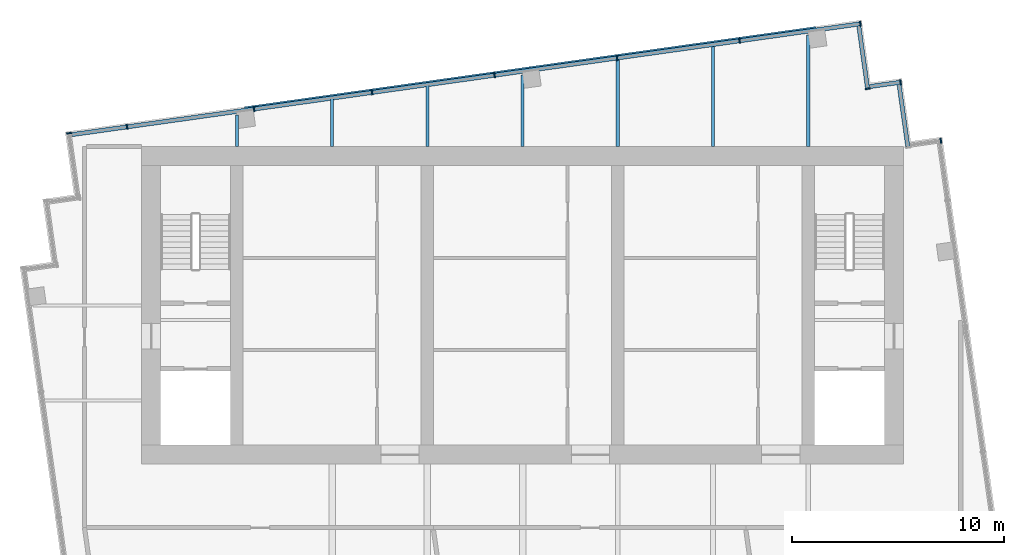
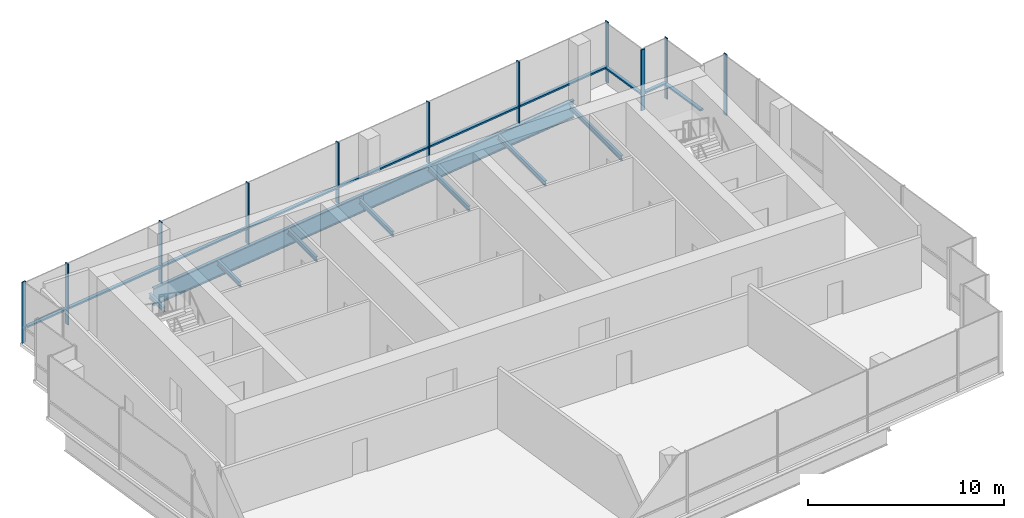
# One storey, part 5 of 9: 21 members, 9 beams, 6 elements without a shape of their own.
"""IFC4 building model written with IfcOpenShell, lengths in metres."""

from ifc_helpers import new_model, si_unit, direction, frame, origin, origin_2d, place, context, subcontext, project, spatial, rectangle, i_section, extrude, material, layer, layer_set, material_profile, profile_set, type_object, element, aggregate, save


model = new_model("IFC4")

# Units and contexts
model_context = context("Model", 3, precision=1e-05, world=origin(), true_north=direction((0.0, 1.0)))
body_context = subcontext(model_context, "Body", "Model", "MODEL_VIEW")
ifc_project = project(units=[si_unit("LENGTHUNIT", "METRE"), si_unit("AREAUNIT", "SQUARE_METRE"), si_unit("VOLUMEUNIT", "CUBIC_METRE"), si_unit("PLANEANGLEUNIT", "RADIAN"), si_unit("MASSUNIT", "GRAM", prefix="KILO")], contexts=[model_context])

# Site, building, storey
site_placement = place(None, origin())
site = spatial("IfcSite", under=ifc_project, at=site_placement, CompositionType="ELEMENT")
building_placement = place(site_placement, origin())
building = spatial("IfcBuilding", under=site, at=building_placement, Name="Rattan Terrace Tower", CompositionType="ELEMENT")
storey_placement = place(building_placement, frame((0.0, 0.0, 296.300048828125)))
storey = spatial("IfcBuildingStorey", under=building, at=storey_placement, Name="C02", CompositionType="ELEMENT", Elevation=296.300048828125)

# Beams
ifc_material_1 = material(Name="Steel S460", Category="steel")
ifc_material_profile_1 = material_profile(ifc_material_1, i_section(OverallWidth=0.179931640625, OverallDepth=1.10009765625, WebThickness=0.01611328125, FlangeThickness=0.050048828125, at=origin_2d()), Name="PG 1100x180-16-50")
ifc_profile_set_1 = profile_set([ifc_material_profile_1], Name="Steel S460")
beam_type_1 = type_object("IfcBeamType", Name="Frame edge girder PG 1100x180-16-50", PredefinedType="SPANDREL", material=ifc_profile_set_1)
beam_1_placement = place(storey_placement, frame((0.361083984375, 11.19189453125, -0.75), z_axis=(-0.990261517274, -0.139219709116, 0.0), x_axis=(0.139219709116, -0.990261517274, 0.0)))
element("IfcBeam", 1, at=beam_1_placement, inside=storey, type_object=beam_type_1, Name="gdr-C02-004", PredefinedType="SPANDREL", context=body_context, shape_type="SweptSolid", body=[
    extrude(i_section(OverallWidth=0.179931640625, OverallDepth=1.10009765625, WebThickness=0.01611328125, FlangeThickness=0.050048828125, at=origin_2d()), origin(), (0.0, 0.0, 1.0), 13.6328125),
])
beam_2_placement = place(storey_placement, frame((13.861083984375, 13.089111328125, -0.75), z_axis=(-0.990268922684, -0.139167024707, 0.0), x_axis=(0.139167024707, -0.990268922684, 0.0)))
element("IfcBeam", 2, at=beam_2_placement, inside=storey, type_object=beam_type_1, Name="gdr-C02-005", PredefinedType="SPANDREL", context=body_context, shape_type="SweptSolid", body=[
    extrude(i_section(OverallWidth=0.179931640625, OverallDepth=1.10009765625, WebThickness=0.01611328125, FlangeThickness=0.050048828125, at=origin_2d()), origin(), (0.0, 0.0, 1.0), 13.632568359375),
])
ifc_material_2 = material(Name="Steel S355", Category="steel")
ifc_material_profile_2 = material_profile(ifc_material_2, i_section(OverallWidth=0.14990234375, OverallDepth=0.300048828125, WebThickness=0.007080078125, FlangeThickness=0.0107421875, FilletRadius=0.014892578125, at=origin_2d()), Name="IPE 300")
ifc_profile_set_2 = profile_set([ifc_material_profile_2], Name="Steel S355")
beam_type_2 = type_object("IfcBeamType", Name="Frame floor beam IPE 300", PredefinedType="JOIST", material=ifc_profile_set_2)
beam_3_placement = place(storey_placement, frame((-13.5, 7.5, -0.35009765625), z_axis=(0.0, 1.0, 0.0), x_axis=(-1.0, 0.0, 0.0)))
element("IfcBeam", 3, at=beam_3_placement, inside=storey, type_object=beam_type_2, Name="bm-C02-011", PredefinedType="JOIST", context=body_context, shape_type="SweptSolid", body=[
    extrude(i_section(OverallWidth=0.14990234375, OverallDepth=0.300048828125, WebThickness=0.007080078125, FlangeThickness=0.0107421875, FilletRadius=0.014892578125, at=origin_2d()), origin(), (0.0, 0.0, 1.0), 1.487060546875),
])
beam_4_placement = place(storey_placement, frame((-9.0, 7.5, -0.35009765625), z_axis=(0.0, 1.0, 0.0), x_axis=(-1.0, 0.0, 0.0)))
element("IfcBeam", 4, at=beam_4_placement, inside=storey, type_object=beam_type_2, Name="bm-C02-012", PredefinedType="JOIST", context=body_context, shape_type="SweptSolid", body=[
    extrude(i_section(OverallWidth=0.14990234375, OverallDepth=0.300048828125, WebThickness=0.007080078125, FlangeThickness=0.0107421875, FilletRadius=0.014892578125, at=origin_2d()), origin(), (0.0, 0.0, 1.0), 2.284912109375),
])
beam_5_placement = place(storey_placement, frame((-4.5, 7.5, -0.35009765625), z_axis=(0.0, 1.0, 0.0), x_axis=(-1.0, 0.0, 0.0)))
element("IfcBeam", 5, at=beam_5_placement, inside=storey, type_object=beam_type_2, Name="bm-C02-013", PredefinedType="JOIST", context=body_context, shape_type="SweptSolid", body=[
    extrude(i_section(OverallWidth=0.14990234375, OverallDepth=0.300048828125, WebThickness=0.007080078125, FlangeThickness=0.0107421875, FilletRadius=0.014892578125, at=origin_2d()), origin(), (0.0, 0.0, 1.0), 2.91796875),
])
beam_6_placement = place(storey_placement, frame((0.0, 7.5, -0.35009765625), z_axis=(0.0, 1.0, 0.0), x_axis=(-1.0, 0.0, 0.0)))
element("IfcBeam", 6, at=beam_6_placement, inside=storey, type_object=beam_type_2, Name="bm-C02-014", PredefinedType="JOIST", context=body_context, shape_type="SweptSolid", body=[
    extrude(i_section(OverallWidth=0.14990234375, OverallDepth=0.300048828125, WebThickness=0.007080078125, FlangeThickness=0.0107421875, FilletRadius=0.014892578125, at=origin_2d()), origin(), (0.0, 0.0, 1.0), 3.385009765625),
])
beam_7_placement = place(storey_placement, frame((4.5, 7.5, -0.35009765625), z_axis=(0.0, 1.0, 0.0), x_axis=(-1.0, 0.0, 0.0)))
element("IfcBeam", 7, at=beam_7_placement, inside=storey, type_object=beam_type_2, Name="bm-C02-015", PredefinedType="JOIST", context=body_context, shape_type="SweptSolid", body=[
    extrude(i_section(OverallWidth=0.14990234375, OverallDepth=0.300048828125, WebThickness=0.007080078125, FlangeThickness=0.0107421875, FilletRadius=0.014892578125, at=origin_2d()), origin(), (0.0, 0.0, 1.0), 4.18310546875),
])
beam_8_placement = place(storey_placement, frame((9.0, 7.5, -0.35009765625), z_axis=(0.0, 1.0, 0.0), x_axis=(-1.0, 0.0, 0.0)))
element("IfcBeam", 8, at=beam_8_placement, inside=storey, type_object=beam_type_2, Name="bm-C02-016", PredefinedType="JOIST", context=body_context, shape_type="SweptSolid", body=[
    extrude(i_section(OverallWidth=0.14990234375, OverallDepth=0.300048828125, WebThickness=0.007080078125, FlangeThickness=0.0107421875, FilletRadius=0.014892578125, at=origin_2d()), origin(), (0.0, 0.0, 1.0), 4.81494140625),
])
beam_9_placement = place(storey_placement, frame((13.5, 7.5, -0.35009765625), z_axis=(0.0, 1.0, 0.0), x_axis=(-1.0, 0.0, 0.0)))
element("IfcBeam", 9, at=beam_9_placement, inside=storey, type_object=beam_type_2, Name="bm-C02-017", PredefinedType="JOIST", context=body_context, shape_type="SweptSolid", body=[
    extrude(i_section(OverallWidth=0.14990234375, OverallDepth=0.300048828125, WebThickness=0.007080078125, FlangeThickness=0.0107421875, FilletRadius=0.014892578125, at=origin_2d()), origin(), (0.0, 0.0, 1.0), 5.281982421875),
])

# Curtain wall, member
ifc_material_3 = material(Name="Aluminium and laminated glass", Category="aluminium")
ifc_layer = layer(ifc_material_3, 0.239990234375)
ifc_layer_set = layer_set([ifc_layer], Name="Lantern Stick Curtain Wall")
curtain_wall_type = type_object("IfcCurtainWallType", Name="Lantern Stick Curtain Wall", PredefinedType="NOTDEFINED", material=ifc_layer_set)
curtain_wall_1_placement = place(storey_placement, origin())
curtain_wall_1 = element("IfcCurtainWall", 10, at=curtain_wall_1_placement, inside=storey, type_object=curtain_wall_type, Name="Lantern curtain wall C02-12", PredefinedType="NOTDEFINED")
ifc_material_4 = material(Name="Aluminium", Category="aluminium")
ifc_material_profile_3 = material_profile(ifc_material_4, rectangle(XDim=0.070068359375, YDim=0.239990234375, at=origin_2d()), Name="Aluminium 70x240")
ifc_profile_set_3 = profile_set([ifc_material_profile_3], Name="Aluminium")
member_type_1 = type_object("IfcMemberType", Name="Lantern CW Mullion 70x240", PredefinedType="MULLION", material=ifc_profile_set_3)
member_1_placement = place(storey_placement, frame((19.763427734375, 7.77880859375, 0.0), z_axis=(0.0, 0.0, 1.0), x_axis=(-0.990227803001, -0.139459306479, 0.0)))
member_1 = element("IfcMember", 11, at=member_1_placement, type_object=member_type_1, Name="Mullion cwl-C02-012.1", PredefinedType="MULLION", context=body_context, shape_type="SweptSolid", body=[
    extrude(rectangle(XDim=0.070068359375, YDim=0.239990234375, at=origin_2d()), origin(), (0.0, 0.0, 1.0), 3.800048828125),
])
aggregate(curtain_wall_1, [member_1])

curtain_wall_2_placement = place(storey_placement, origin())
curtain_wall_2 = element("IfcCurtainWall", 12, at=curtain_wall_2_placement, inside=storey, type_object=curtain_wall_type, Name="Lantern curtain wall C02-14", PredefinedType="NOTDEFINED")
member_2_placement = place(storey_placement, frame((17.860595703125, 10.54296875, 0.0), z_axis=(0.0, 0.0, 1.0), x_axis=(-0.990319742912, -0.13880492354, 0.0)))
member_2 = element("IfcMember", 13, at=member_2_placement, type_object=member_type_1, Name="Mullion cwl-C02-014.1", PredefinedType="MULLION", context=body_context, shape_type="SweptSolid", body=[
    extrude(rectangle(XDim=0.070068359375, YDim=0.239990234375, at=origin_2d()), origin(), (0.0, 0.0, 1.0), 3.800048828125),
])

curtain_wall_3_placement = place(storey_placement, origin())
curtain_wall_3 = element("IfcCurtainWall", 14, at=curtain_wall_3_placement, inside=storey, type_object=curtain_wall_type, Name="Lantern curtain wall C02-15", PredefinedType="NOTDEFINED")
member_3_placement = place(storey_placement, frame((16.30419921875, 10.239013671875, 0.0), z_axis=(0.0, 0.0, 1.0), x_axis=(-0.139413247769, 0.990234288614, 0.0)))
member_3 = element("IfcMember", 15, at=member_3_placement, type_object=member_type_1, Name="Mullion cwl-C02-015.1", PredefinedType="MULLION", context=body_context, shape_type="SweptSolid", body=[
    extrude(rectangle(XDim=0.070068359375, YDim=0.239990234375, at=origin_2d()), origin(), (0.0, 0.0, 1.0), 3.800048828125),
])

# Curtain wall, members
curtain_wall_4_placement = place(storey_placement, origin())
curtain_wall_4 = element("IfcCurtainWall", 16, at=curtain_wall_4_placement, inside=storey, type_object=curtain_wall_type, Name="Lantern curtain wall C02-16", PredefinedType="NOTDEFINED")
member_4_placement = place(storey_placement, frame((15.95849609375, 13.3037109375, 0.0), z_axis=(0.0, 0.0, 1.0), x_axis=(-0.990266952226, -0.13918104515, 0.0)))
member_4 = element("IfcMember", 17, at=member_4_placement, type_object=member_type_1, Name="Mullion cwl-C02-016.1", PredefinedType="MULLION", context=body_context, shape_type="SweptSolid", body=[
    extrude(rectangle(XDim=0.070068359375, YDim=0.239990234375, at=origin_2d()), origin(), (0.0, 0.0, 1.0), 3.800048828125),
])
member_5_placement = place(storey_placement, frame((10.253662109375, 12.501953125, 0.0), z_axis=(0.0, 0.0, 1.0), x_axis=(-0.990266952226, -0.13918104515, 0.0)))
member_5 = element("IfcMember", 18, at=member_5_placement, type_object=member_type_1, Name="Mullion cwl-C02-016.2", PredefinedType="MULLION", context=body_context, shape_type="SweptSolid", body=[
    extrude(rectangle(XDim=0.070068359375, YDim=0.239990234375, at=origin_2d()), origin(), (0.0, 0.0, 1.0), 3.800048828125),
])
member_6_placement = place(storey_placement, frame((4.464599609375, 11.6884765625, 0.0), z_axis=(0.0, 0.0, 1.0), x_axis=(-0.990266952226, -0.13918104515, 0.0)))
member_6 = element("IfcMember", 19, at=member_6_placement, type_object=member_type_1, Name="Mullion cwl-C02-016.3", PredefinedType="MULLION", context=body_context, shape_type="SweptSolid", body=[
    extrude(rectangle(XDim=0.070068359375, YDim=0.239990234375, at=origin_2d()), origin(), (0.0, 0.0, 1.0), 3.800048828125),
])
member_7_placement = place(storey_placement, frame((-1.32470703125, 10.874755859375, 0.0), z_axis=(0.0, 0.0, 1.0), x_axis=(-0.990266952226, -0.13918104515, 0.0)))
member_7 = element("IfcMember", 20, at=member_7_placement, type_object=member_type_1, Name="Mullion cwl-C02-016.4", PredefinedType="MULLION", context=body_context, shape_type="SweptSolid", body=[
    extrude(rectangle(XDim=0.070068359375, YDim=0.239990234375, at=origin_2d()), origin(), (0.0, 0.0, 1.0), 3.800048828125),
])
member_8_placement = place(storey_placement, frame((-7.11376953125, 10.06103515625, 0.0), z_axis=(0.0, 0.0, 1.0), x_axis=(-0.990266952226, -0.13918104515, 0.0)))
member_8 = element("IfcMember", 21, at=member_8_placement, type_object=member_type_1, Name="Mullion cwl-C02-016.5", PredefinedType="MULLION", context=body_context, shape_type="SweptSolid", body=[
    extrude(rectangle(XDim=0.070068359375, YDim=0.239990234375, at=origin_2d()), origin(), (0.0, 0.0, 1.0), 3.800048828125),
])
member_9_placement = place(storey_placement, frame((-12.6875, 9.277587890625, 0.0), z_axis=(0.0, 0.0, 1.0), x_axis=(-0.990266952226, -0.13918104515, 0.0)))
member_9 = element("IfcMember", 22, at=member_9_placement, type_object=member_type_1, Name="Mullion cwl-C02-016.6", PredefinedType="MULLION", context=body_context, shape_type="SweptSolid", body=[
    extrude(rectangle(XDim=0.070068359375, YDim=0.239990234375, at=origin_2d()), origin(), (0.0, 0.0, 1.0), 3.800048828125),
])
member_10_placement = place(storey_placement, frame((-18.69189453125, 8.433837890625, 0.0), z_axis=(0.0, 0.0, 1.0), x_axis=(-0.990266952226, -0.13918104515, 0.0)))
member_10 = element("IfcMember", 23, at=member_10_placement, type_object=member_type_1, Name="Mullion cwl-C02-016.7", PredefinedType="MULLION", context=body_context, shape_type="SweptSolid", body=[
    extrude(rectangle(XDim=0.070068359375, YDim=0.239990234375, at=origin_2d()), origin(), (0.0, 0.0, 1.0), 3.800048828125),
])

# Curtain wall, member
curtain_wall_5_placement = place(storey_placement, origin())
curtain_wall_5 = element("IfcCurtainWall", 24, at=curtain_wall_5_placement, inside=storey, type_object=curtain_wall_type, Name="Lantern curtain wall C02-17", PredefinedType="NOTDEFINED")
member_11_placement = place(storey_placement, frame((-21.431884765625, 8.134521484375, 0.0), z_axis=(0.0, 0.0, 1.0), x_axis=(0.139040257975, -0.990286729519, 0.0)))
member_11 = element("IfcMember", 25, at=member_11_placement, type_object=member_type_1, Name="Mullion cwl-C02-017.1", PredefinedType="MULLION", context=body_context, shape_type="SweptSolid", body=[
    extrude(rectangle(XDim=0.070068359375, YDim=0.239990234375, at=origin_2d()), origin(), (0.0, 0.0, 1.0), 3.800048828125),
])
aggregate(curtain_wall_5, [member_11])

curtain_wall_6_placement = place(storey_placement, origin())
curtain_wall_6 = element("IfcCurtainWall", 26, at=curtain_wall_6_placement, inside=storey, type_object=curtain_wall_type, Name="Lantern curtain wall C02-13", PredefinedType="NOTDEFINED")
ifc_material_5 = material(Name="Aluminium", Category="aluminium")
ifc_material_profile_4 = material_profile(ifc_material_5, rectangle(XDim=0.199951171875, YDim=0.10009765625, at=origin_2d()), Name="Aluminium 200x100")
ifc_profile_set_4 = profile_set([ifc_material_profile_4], Name="Aluminium")
member_type_2 = type_object("IfcMemberType", Name="Lantern CW Transom 200x100", PredefinedType="USERDEFINED", material=ifc_profile_set_4)
member_12_placement = place(storey_placement, frame((18.202392578125, 7.508544921875, 1.0), z_axis=(-0.139532909028, 0.990217434354, 0.0), x_axis=(-0.990217434354, -0.139532909028, 0.0)))
member_12 = element("IfcMember", 27, at=member_12_placement, type_object=member_type_2, Name="Transom cwl-C02-013.1", ObjectType="TRANSOM", PredefinedType="USERDEFINED", context=body_context, shape_type="SweptSolid", body=[
    extrude(rectangle(XDim=0.199951171875, YDim=0.10009765625, at=origin_2d()), origin(), (0.0, 0.0, 1.0), 2.9326171875),
])
aggregate(curtain_wall_6, [member_12])

# Member
member_13_placement = place(storey_placement, frame((17.825927734375, 10.5380859375, 1.0), z_axis=(-0.990301815941, -0.13893276555, 0.0), x_axis=(0.13893276555, -0.990301815941, 0.0)))
member_13 = element("IfcMember", 28, at=member_13_placement, type_object=member_type_2, Name="Transom cwl-C02-014.1", ObjectType="TRANSOM", PredefinedType="USERDEFINED", context=body_context, shape_type="SweptSolid", body=[
    extrude(rectangle(XDim=0.199951171875, YDim=0.10009765625, at=origin_2d()), origin(), (0.0, 0.0, 1.0), 1.4287109375),
])

aggregate(curtain_wall_2, [member_2, member_13])

member_14_placement = place(storey_placement, frame((16.29931640625, 10.2734375, 1.0), z_axis=(-0.139401737802, 0.990235909013, 0.0), x_axis=(-0.990235909013, -0.139401737802, 0.0)))
member_14 = element("IfcMember", 29, at=member_14_placement, type_object=member_type_2, Name="Transom cwl-C02-015.1", ObjectType="TRANSOM", PredefinedType="USERDEFINED", context=body_context, shape_type="SweptSolid", body=[
    extrude(rectangle(XDim=0.199951171875, YDim=0.10009765625, at=origin_2d()), origin(), (0.0, 0.0, 1.0), 2.92822265625),
])

aggregate(curtain_wall_3, [member_3, member_14])

member_15_placement = place(storey_placement, frame((15.923828125, 13.299072265625, 1.0), z_axis=(-0.990262771001, -0.139210791141, 0.0), x_axis=(0.139210791141, -0.990262771001, 0.0)))
member_15 = element("IfcMember", 30, at=member_15_placement, type_object=member_type_2, Name="Transom cwl-C02-016.1", ObjectType="TRANSOM", PredefinedType="USERDEFINED", context=body_context, shape_type="SweptSolid", body=[
    extrude(rectangle(XDim=0.199951171875, YDim=0.10009765625, at=origin_2d()), origin(), (0.0, 0.0, 1.0), 5.69091796875),
])

member_16_placement = place(storey_placement, frame((10.218994140625, 12.4970703125, 1.0), z_axis=(-0.990265684123, -0.139190067348, 0.0), x_axis=(0.139190067348, -0.990265684123, 0.0)))
member_16 = element("IfcMember", 31, at=member_16_placement, type_object=member_type_2, Name="Transom cwl-C02-016.2", ObjectType="TRANSOM", PredefinedType="USERDEFINED", context=body_context, shape_type="SweptSolid", body=[
    extrude(rectangle(XDim=0.199951171875, YDim=0.10009765625, at=origin_2d()), origin(), (0.0, 0.0, 1.0), 5.77587890625),
])

member_17_placement = place(storey_placement, frame((4.429931640625, 11.68359375, 1.0), z_axis=(-0.990266502976, -0.139184241508, 0.0), x_axis=(0.139184241508, -0.990266502976, 0.0)))
member_17 = element("IfcMember", 32, at=member_17_placement, type_object=member_type_2, Name="Transom cwl-C02-016.3", ObjectType="TRANSOM", PredefinedType="USERDEFINED", context=body_context, shape_type="SweptSolid", body=[
    extrude(rectangle(XDim=0.199951171875, YDim=0.10009765625, at=origin_2d()), origin(), (0.0, 0.0, 1.0), 5.776123046875),
])

member_18_placement = place(storey_placement, frame((-1.359375, 10.869873046875, 1.0), z_axis=(-0.990265684123, -0.139190067348, 0.0), x_axis=(0.139190067348, -0.990265684123, 0.0)))
member_18 = element("IfcMember", 33, at=member_18_placement, type_object=member_type_2, Name="Transom cwl-C02-016.4", ObjectType="TRANSOM", PredefinedType="USERDEFINED", context=body_context, shape_type="SweptSolid", body=[
    extrude(rectangle(XDim=0.199951171875, YDim=0.10009765625, at=origin_2d()), origin(), (0.0, 0.0, 1.0), 5.77587890625),
])

member_19_placement = place(storey_placement, frame((-7.1484375, 10.05615234375, 1.0), z_axis=(-0.990265851054, -0.139188879712, 0.0), x_axis=(0.139188879712, -0.990265851054, 0.0)))
member_19 = element("IfcMember", 34, at=member_19_placement, type_object=member_type_2, Name="Transom cwl-C02-016.5", ObjectType="TRANSOM", PredefinedType="USERDEFINED", context=body_context, shape_type="SweptSolid", body=[
    extrude(rectangle(XDim=0.199951171875, YDim=0.10009765625, at=origin_2d()), origin(), (0.0, 0.0, 1.0), 5.55859375),
])

member_20_placement = place(storey_placement, frame((-12.72216796875, 9.272705078125, 1.0), z_axis=(-0.990271143275, -0.139151222765, 0.0), x_axis=(0.139151222765, -0.990271143275, 0.0)))
member_20 = element("IfcMember", 35, at=member_20_placement, type_object=member_type_2, Name="Transom cwl-C02-016.6", ObjectType="TRANSOM", PredefinedType="USERDEFINED", context=body_context, shape_type="SweptSolid", body=[
    extrude(rectangle(XDim=0.199951171875, YDim=0.10009765625, at=origin_2d()), origin(), (0.0, 0.0, 1.0), 5.993408203125),
])

member_21_placement = place(storey_placement, frame((-18.7265625, 8.428955078125, 1.0), z_axis=(-0.990256983473, -0.139251953963, 0.0), x_axis=(0.139251953963, -0.990256983473, 0.0)))
member_21 = element("IfcMember", 36, at=member_21_placement, type_object=member_type_2, Name="Transom cwl-C02-016.7", ObjectType="TRANSOM", PredefinedType="USERDEFINED", context=body_context, shape_type="SweptSolid", body=[
    extrude(rectangle(XDim=0.199951171875, YDim=0.10009765625, at=origin_2d()), origin(), (0.0, 0.0, 1.0), 2.60009765625),
])

aggregate(curtain_wall_4, [member_4, member_5, member_6, member_7, member_8, member_9, member_10, member_15, member_16, member_17, member_18, member_19, member_20, member_21])

save(model, "model.ifc")
